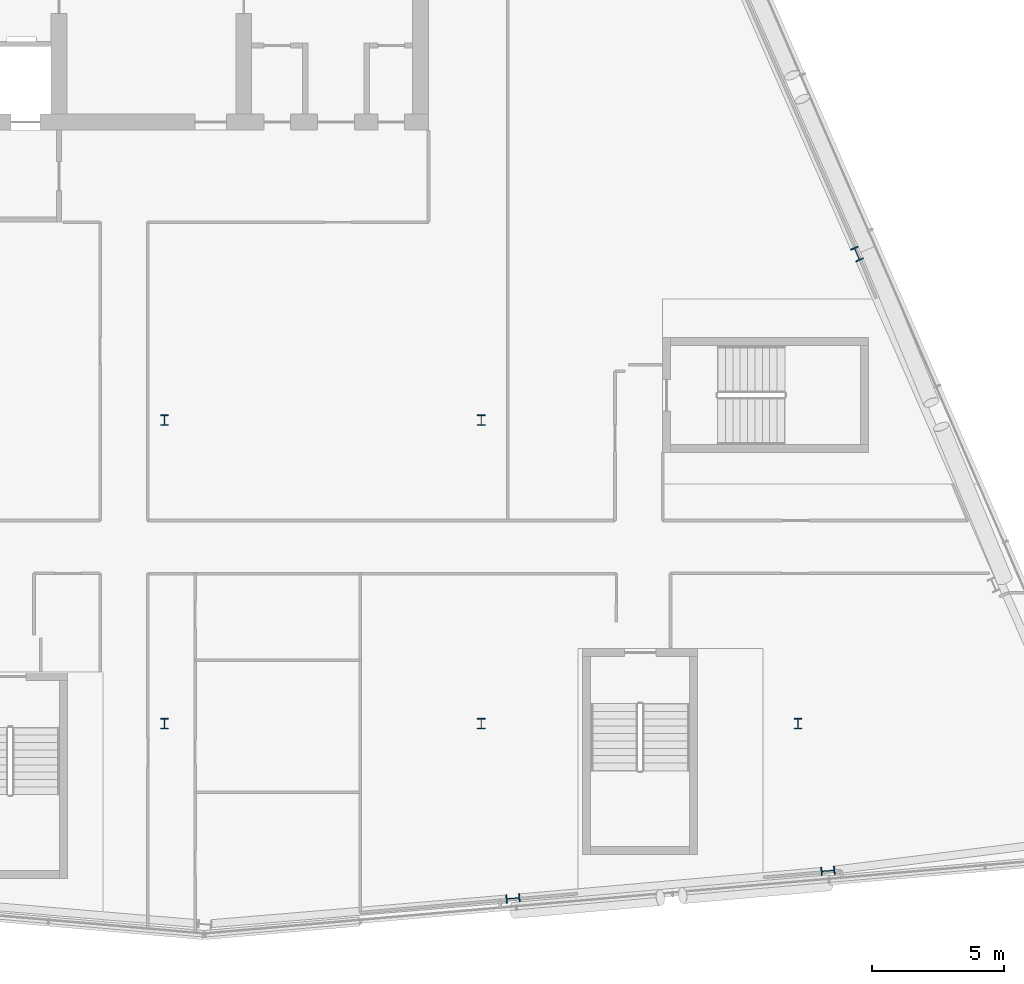
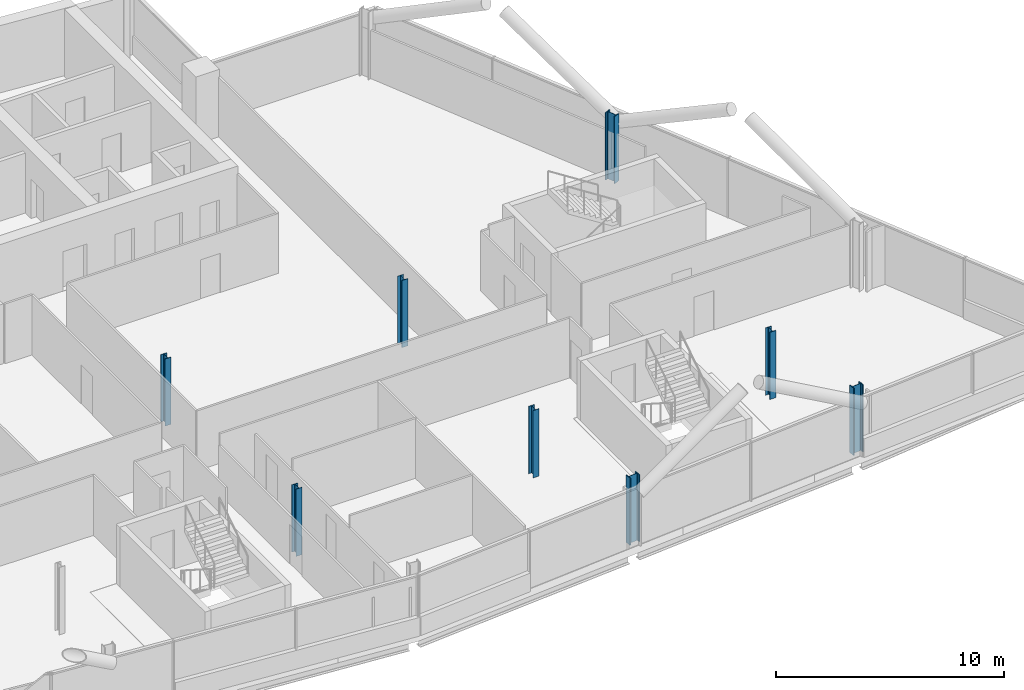
# One storey, part 2 of 27: 8 columns.
"""IFC4 building model written with IfcOpenShell, lengths in metres."""

from ifc_helpers import new_model, si_unit, direction, frame, origin, origin_2d, place, context, subcontext, project, spatial, i_section, extrude, material, material_profile, profile_set, type_object, element, save


model = new_model("IFC4")

# Units and contexts
model_context = context("Model", 3, precision=1e-05, world=origin(), true_north=direction((0.0, 1.0)))
body_context = subcontext(model_context, "Body", "Model", "MODEL_VIEW")
ifc_project = project(units=[si_unit("LENGTHUNIT", "METRE"), si_unit("AREAUNIT", "SQUARE_METRE"), si_unit("VOLUMEUNIT", "CUBIC_METRE"), si_unit("PLANEANGLEUNIT", "RADIAN"), si_unit("MASSUNIT", "GRAM", prefix="KILO")], contexts=[model_context])

# Site, building, storey
site_placement = place(None, origin())
site = spatial("IfcSite", under=ifc_project, at=site_placement, CompositionType="ELEMENT")
building_placement = place(site_placement, origin())
building = spatial("IfcBuilding", under=site, at=building_placement, Name="Wharfspan Tower", CompositionType="ELEMENT")
storey_placement = place(building_placement, frame((0.0, 0.0, 210.699951)))
storey = spatial("IfcBuildingStorey", under=building, at=storey_placement, Name="L52", CompositionType="ELEMENT", Elevation=210.699951)

# Columns
ifc_material = material(Name="Steel S355J2", Category="steel")
ifc_material_profile_1 = material_profile(ifc_material, i_section(OverallWidth=0.300049, OverallDepth=0.399902, WebThickness=0.013428, FlangeThickness=0.023926, FilletRadius=0.0271, at=origin_2d()))
ifc_profile_set_1 = profile_set([ifc_material_profile_1], Name="Steel S355J2")
column_type_1 = type_object("IfcColumnType", Name="Column HEB 400", PredefinedType="COLUMN", material=ifc_profile_set_1)
for number, where, z_axis, x_axis, name in (
    (1, (48.0, 11.5, 0.0), (0.0, 0.0, 1.0), (1.0, 0.0, 0.0), "Interior column I.1.3 L52"),
    (2, (60.0, 11.5, 0.0), (0.0, 0.0, 1.0), (1.0, 0.0, 0.0), "Interior column I.1.4 L52"),
    (3, (72.0, 11.5, 0.0), (0.0, 0.0, 1.0), (1.0, 0.0, 0.0), "Interior column I.1.5 L52"),
    (4, (48.0, 23.0, 0.0), (0.0, 0.0, 1.0), (1.0, 0.0, 0.0), "Interior column I.2.3 L52"),
    (5, (60.0, 23.0, 0.0), (0.0, 0.0, 1.0), (1.0, 0.0, 0.0), "Interior column I.2.4 L52"),
):
    element("IfcColumn", number, at=place(storey_placement, frame(where, z_axis=z_axis, x_axis=x_axis)), inside=storey, type_object=column_type_1, Name=name, PredefinedType="COLUMN", context=body_context, shape_type="SweptSolid", body=[
        extrude(i_section(OverallWidth=0.300049, OverallDepth=0.399902, WebThickness=0.013428, FlangeThickness=0.023926, FilletRadius=0.0271, at=origin_2d()), origin(), (0.0, 0.0, 1.0), 3.600098),
    ])
ifc_material_profile_2 = material_profile(ifc_material, i_section(OverallWidth=0.305908, OverallDepth=0.523926, WebThickness=0.020996, FlangeThickness=0.040039, FilletRadius=0.0271, at=origin_2d()))
ifc_profile_set_2 = profile_set([ifc_material_profile_2], Name="Steel S355J2")
column_type_2 = type_object("IfcColumnType", Name="Column HEM 500", PredefinedType="COLUMN", material=ifc_profile_set_2)
for number, where, z_axis, x_axis, name in (
    (6, (61.202393, 4.879395, 0.0), (0.0, 0.0, 1.0), (0.087156, -0.996197, 0.0), "Perimeter column PS2.1 L52"),
    (7, (73.135254, 5.92334, 0.0), (0.0, 0.0, 1.0), (0.087156, -0.996197, 0.0), "Perimeter column PS2.2 L52"),
    (8, (74.235352, 29.294922, 0.0), (0.0, 0.0, 1.0), (0.917072, 0.398727, 0.0), "Perimeter column PE.2 L52"),
):
    element("IfcColumn", number, at=place(storey_placement, frame(where, z_axis=z_axis, x_axis=x_axis)), inside=storey, type_object=column_type_2, Name=name, PredefinedType="COLUMN", context=body_context, shape_type="SweptSolid", body=[
        extrude(i_section(OverallWidth=0.305908, OverallDepth=0.523926, WebThickness=0.020996, FlangeThickness=0.040039, FilletRadius=0.0271, at=origin_2d()), origin(), (0.0, 0.0, 1.0), 3.600098),
    ])

save(model, "model.ifc")
